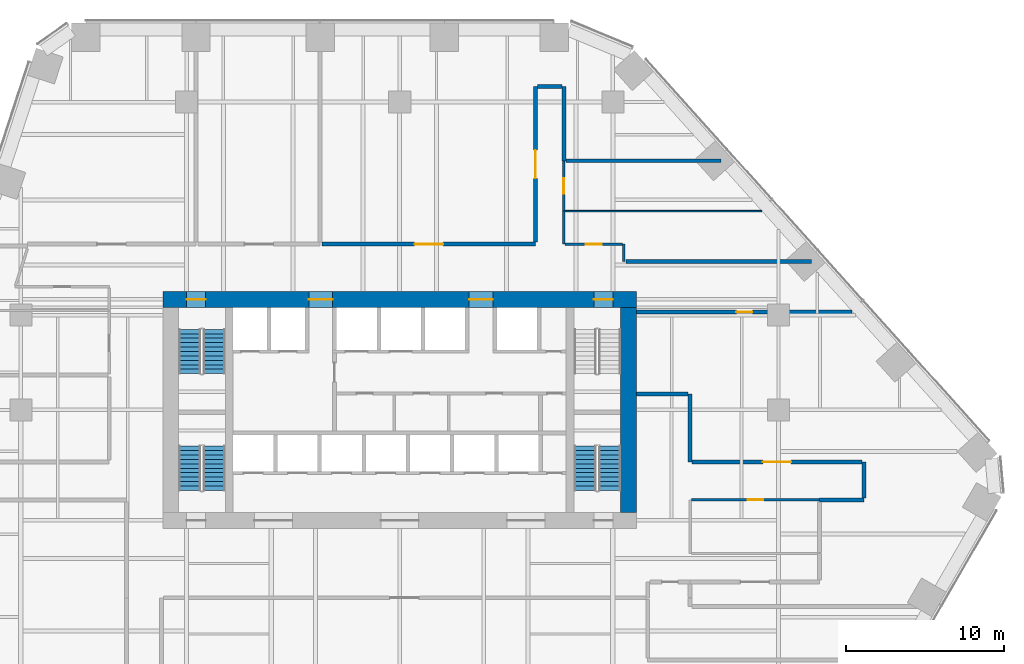
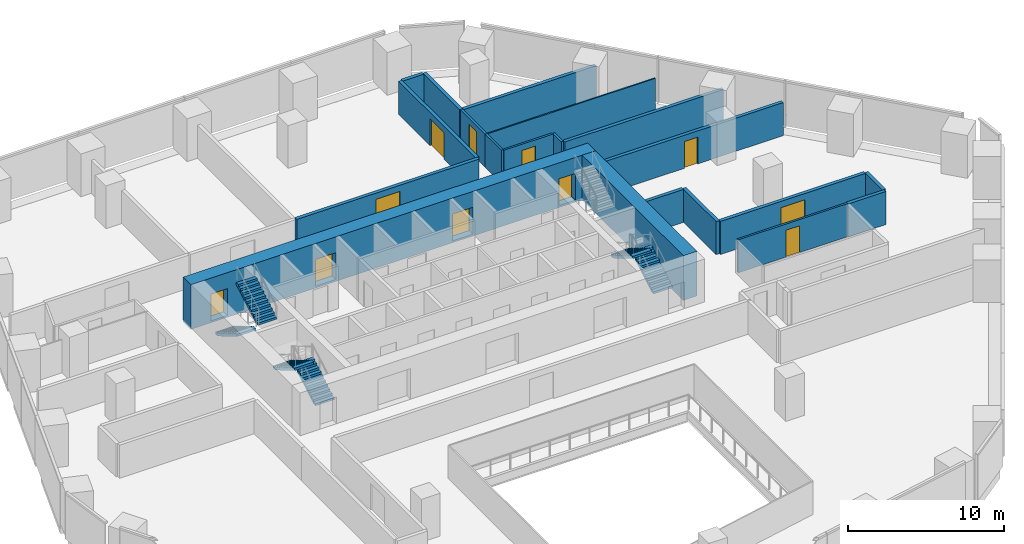
# One storey, part 16 of 20: 20 walls, 11 doors, 6 stair flights, 11 openings, 3 elements without a shape of their own.
"""IFC4 building model written with IfcOpenShell, lengths in metres."""

from ifc_helpers import new_model, si_unit, direction, frame, frame_2d, origin, place, context, subcontext, project, spatial, polyline, rectangle, outline, extrude, material, layer, layer_set, type_object, element, fill, aggregate, save


model = new_model("IFC4")

# Units and contexts
model_context = context("Model", 3, precision=1e-05, world=origin(), true_north=direction((0.0, 1.0)))
body_context = subcontext(model_context, "Body", "Model", "MODEL_VIEW")
ifc_project = project(units=[si_unit("LENGTHUNIT", "METRE"), si_unit("AREAUNIT", "SQUARE_METRE"), si_unit("VOLUMEUNIT", "CUBIC_METRE"), si_unit("PLANEANGLEUNIT", "RADIAN"), si_unit("MASSUNIT", "GRAM", prefix="KILO")], contexts=[model_context])

# Site, building, storey
site_placement = place(None, origin())
site = spatial("IfcSite", under=ifc_project, at=site_placement, CompositionType="ELEMENT")
building_placement = place(site_placement, origin())
building = spatial("IfcBuilding", under=site, at=building_placement, Name="Isthmus Gate Tower", CompositionType="ELEMENT")
storey_placement = place(building_placement, frame((0.0, 0.0, 72.5)))
storey = spatial("IfcBuildingStorey", under=building, at=storey_placement, Name="L16", CompositionType="ELEMENT", Elevation=72.5)

# Walls
ifc_material_1 = material(Name="Double-leaf acoustic stud wall, fire-rated", Category="gypsum")
ifc_layer_1 = layer(ifc_material_1, 0.25)
ifc_layer_set_1 = layer_set([ifc_layer_1], Name="ACOUSTIC WALL 250 60 MIN")
wall_type_1 = type_object("IfcWallType", Name="ACOUSTIC WALL 250 60 MIN", PredefinedType="PARTITIONING", material=ifc_layer_set_1)
wall_1_placement = place(storey_placement, frame((10.39990234375, 28.0, 0.0), z_axis=(0.0, 0.0, 1.0), x_axis=(0.0, -1.0, 0.0)))
element("IfcWall", 1, at=wall_1_placement, inside=storey, type_object=wall_type_1, Name="L16 Acoustic Wall 250 60 Min", PredefinedType="PARTITIONING", context=body_context, shape_type="SweptSolid", body=[
    extrude(rectangle(XDim=4.717041015625, YDim=0.25, at=frame_2d((2.3583984375, 0.0))), origin(), (0.0, 0.0, 1.0), 2.59130859375),
])
wall_2_placement = place(storey_placement, frame((18.39990234375, 8.5, 0.0), z_axis=(0.0, 0.0, 1.0), x_axis=(0.0, -1.0, 0.0)))
element("IfcWall", 2, at=wall_2_placement, inside=storey, type_object=wall_type_1, Name="L16 Acoustic Wall 250 60 Min", PredefinedType="PARTITIONING", context=body_context, shape_type="SweptSolid", body=[
    extrude(rectangle(XDim=4.300048828125, YDim=0.25, at=frame_2d((2.14990234375, 0.0))), origin(), (0.0, 0.0, 1.0), 2.59130859375),
])
wall_3_placement = place(storey_placement, frame((29.39990234375, 1.800048828125, 0.0), z_axis=(0.0, 0.0, 1.0), x_axis=(-1.0, 0.0, 0.0)))
element("IfcWall", 3, at=wall_3_placement, inside=storey, type_object=wall_type_1, Name="L16 Acoustic Wall 250 60 Min", PredefinedType="PARTITIONING", context=body_context, shape_type="SweptSolid", body=[
    extrude(rectangle(XDim=2.807861328125, YDim=0.25, at=frame_2d((1.40380859375, 0.0))), origin(), (0.0, 0.0, 1.0), 2.59130859375),
])
wall_4_placement = place(storey_placement, frame((29.39990234375, 4.199951171875, 0.0), z_axis=(0.0, 0.0, 1.0), x_axis=(0.0, -1.0, 0.0)))
element("IfcWall", 4, at=wall_4_placement, inside=storey, type_object=wall_type_1, Name="L16 Acoustic Wall 250 60 Min", PredefinedType="PARTITIONING", context=body_context, shape_type="SweptSolid", body=[
    extrude(rectangle(XDim=2.27490234375, YDim=0.25, at=frame_2d((1.137451171875, 0.0))), origin(), (0.0, 0.0, 1.0), 2.59130859375),
])

# Wall, opening, door
wall_5_placement = place(storey_placement, frame((-4.912109375, 18.0, 0.0), z_axis=(0.0, 0.0, 1.0), x_axis=(1.0, 0.0, 0.0)))
wall_5 = element("IfcWall", 5, at=wall_5_placement, inside=storey, type_object=wall_type_1, Name="L16 Acoustic Wall 250 60 Min", PredefinedType="PARTITIONING", context=body_context, shape_type="SweptSolid", body=[
    extrude(rectangle(XDim=13.51220703125, YDim=0.25, at=frame_2d((6.756103515625, 0.0))), origin(), (0.0, 0.0, 1.0), 2.59130859375),
])
opening_1_placement = place(wall_5_placement, frame((5.85595703125, 0.0, 0.0)))
opening_1 = element("IfcOpeningElement", 6, at=opening_1_placement, cuts=wall_5, Name="Opening DT-T1D-03", PredefinedType="OPENING", context=body_context, shape_type="SweptSolid", body=[
    extrude(rectangle(XDim=1.800048828125, YDim=2.10009765625, at=frame_2d((0.89990234375, 1.050048828125))), frame((0.0, 0.135009765625, 0.0), z_axis=(0.0, -1.0, 0.0), x_axis=(1.0, 0.0, 0.0)), (0.0, 0.0, 1.0), 0.27001953125),
])
ifc_material_2 = material(Name="Solid core timber door leaf, fire-rated", Category="wood")
door_type_1 = type_object("IfcDoorType", Name="FIRE DOOR ACOUSTIC ROOM 1800 X 2100 60 MIN", OperationType="DOUBLE_DOOR_DOUBLE_SWING", PredefinedType="DOOR", material=ifc_material_2)
door_1_placement = place(opening_1_placement, origin())
door_1 = element("IfcDoor", 7, at=door_1_placement, inside=storey, type_object=door_type_1, Name="L16 room door", OperationType="DOUBLE_DOOR_DOUBLE_SWING", OverallHeight=2.10009765625, OverallWidth=1.800048828125, PredefinedType="DOOR", context=body_context, shape_type="SweptSolid", body=[
    extrude(rectangle(XDim=1.800048828125, YDim=2.10009765625, at=frame_2d((0.89990234375, 1.050048828125))), frame((0.0, 0.02490234375, 0.0), z_axis=(0.0, -1.0, 0.0), x_axis=(1.0, 0.0, 0.0)), (0.0, 0.0, 1.0), 0.050048828125),
])
fill(opening_1, door_1)

wall_6_placement = place(storey_placement, frame((8.60009765625, 18.125, 0.0), z_axis=(0.0, 0.0, 1.0), x_axis=(0.0, 1.0, 0.0)))
wall_6 = element("IfcWall", 8, at=wall_6_placement, inside=storey, type_object=wall_type_1, Name="L16 Acoustic Wall 250 60 Min", PredefinedType="PARTITIONING", context=body_context, shape_type="SweptSolid", body=[
    extrude(rectangle(XDim=9.875, YDim=0.25, at=frame_2d((4.9375, 0.0))), origin(), (0.0, 0.0, 1.0), 2.59130859375),
])
opening_2_placement = place(wall_6_placement, frame((4.03759765625, 0.0, 0.0)))
opening_2 = element("IfcOpeningElement", 9, at=opening_2_placement, cuts=wall_6, Name="Opening DT-T1D-04", PredefinedType="OPENING", context=body_context, shape_type="SweptSolid", body=[
    extrude(rectangle(XDim=1.800048828125, YDim=2.10009765625, at=frame_2d((0.89990234375, 1.050048828125))), frame((0.0, 0.135009765625, 0.0), z_axis=(0.0, -1.0, 0.0), x_axis=(1.0, 0.0, 0.0)), (0.0, 0.0, 1.0), 0.27001953125),
])
door_2_placement = place(opening_2_placement, origin())
door_2 = element("IfcDoor", 10, at=door_2_placement, inside=storey, type_object=door_type_1, Name="L16 room door", OperationType="DOUBLE_DOOR_DOUBLE_SWING", OverallHeight=2.10009765625, OverallWidth=1.800048828125, PredefinedType="DOOR", context=body_context, shape_type="SweptSolid", body=[
    extrude(rectangle(XDim=1.800048828125, YDim=2.10009765625, at=frame_2d((0.89990234375, 1.050048828125))), frame((0.0, 0.02490234375, 0.0), z_axis=(0.0, -1.0, 0.0), x_axis=(1.0, 0.0, 0.0)), (0.0, 0.0, 1.0), 0.050048828125),
])
fill(opening_2, door_2)

# Walls
wall_7_placement = place(storey_placement, frame((8.72509765625, 28.0, 0.0), z_axis=(0.0, 0.0, 1.0), x_axis=(1.0, 0.0, 0.0)))
element("IfcWall", 11, at=wall_7_placement, inside=storey, type_object=wall_type_1, Name="L16 Acoustic Wall 250 60 Min", PredefinedType="PARTITIONING", context=body_context, shape_type="SweptSolid", body=[
    extrude(rectangle(XDim=1.5498046875, YDim=0.25, at=frame_2d((0.77490234375, 0.0))), origin(), (0.0, 0.0, 1.0), 2.59130859375),
])
wall_8_placement = place(storey_placement, frame((10.52490234375, 23.282958984375, 0.0), z_axis=(0.0, 0.0, 1.0), x_axis=(1.0, 0.0, 0.0)))
element("IfcWall", 12, at=wall_8_placement, inside=storey, type_object=wall_type_1, Name="L16 Acoustic Wall 250 60 Min", PredefinedType="PARTITIONING", context=body_context, shape_type="SweptSolid", body=[
    extrude(rectangle(XDim=9.822021484375, YDim=0.25, at=frame_2d((4.9111328125, 0.0))), origin(), (0.0, 0.0, 1.0), 2.59130859375),
])
wall_9_placement = place(storey_placement, frame((14.324951171875, 16.89990234375, 0.0), z_axis=(0.0, 0.0, 1.0), x_axis=(1.0, 0.0, 0.0)))
element("IfcWall", 13, at=wall_9_placement, inside=storey, type_object=wall_type_1, Name="L16 Acoustic Wall 250 60 Min", PredefinedType="PARTITIONING", context=body_context, shape_type="SweptSolid", body=[
    extrude(rectangle(XDim=11.77001953125, YDim=0.25, at=frame_2d((5.885009765625, 0.0))), origin(), (0.0, 0.0, 1.0), 2.59130859375),
])

# Wall, opening, door
wall_10_placement = place(storey_placement, frame((15.0, 13.708984375, 0.0), z_axis=(0.0, 0.0, 1.0), x_axis=(1.0, 0.0, 0.0)))
wall_10 = element("IfcWall", 14, at=wall_10_placement, inside=storey, type_object=wall_type_1, Name="L16 Acoustic Wall 250 60 Min", PredefinedType="PARTITIONING", context=body_context, shape_type="SweptSolid", body=[
    extrude(rectangle(XDim=13.66796875, YDim=0.25, at=frame_2d((6.833984375, 0.0))), origin(), (0.0, 0.0, 1.0), 2.59130859375),
])
opening_3_placement = place(wall_10_placement, frame((6.333984375, 0.0, 0.0)))
opening_3 = element("IfcOpeningElement", 15, at=opening_3_placement, cuts=wall_10, Name="Opening DT-T1D-27", PredefinedType="OPENING", context=body_context, shape_type="SweptSolid", body=[
    extrude(rectangle(XDim=1.0, YDim=2.10009765625, at=frame_2d((0.5, 1.050048828125))), frame((0.0, 0.135009765625, 0.0), z_axis=(0.0, -1.0, 0.0), x_axis=(1.0, 0.0, 0.0)), (0.0, 0.0, 1.0), 0.27001953125),
])
ifc_material_3 = material(Name="Solid core timber door leaf, fire-rated", Category="wood")
door_type_2 = type_object("IfcDoorType", Name="FIRE DOOR ACOUSTIC ROOM 1000 X 2100 60 MIN", OperationType="SINGLE_SWING_LEFT", PredefinedType="DOOR", material=ifc_material_3)
door_3_placement = place(opening_3_placement, origin())
door_3 = element("IfcDoor", 16, at=door_3_placement, inside=storey, type_object=door_type_2, Name="L16 room door", OperationType="SINGLE_SWING_LEFT", OverallHeight=2.10009765625, OverallWidth=1.0, PredefinedType="DOOR", context=body_context, shape_type="SweptSolid", body=[
    extrude(rectangle(XDim=1.0, YDim=2.10009765625, at=frame_2d((0.5, 1.050048828125))), frame((0.0, 0.02490234375, 0.0), z_axis=(0.0, -1.0, 0.0), x_axis=(1.0, 0.0, 0.0)), (0.0, 0.0, 1.0), 0.050048828125),
])
fill(opening_3, door_3)

# Wall
wall_11_placement = place(storey_placement, frame((15.0, 8.5, 0.0), z_axis=(0.0, 0.0, 1.0), x_axis=(1.0, 0.0, 0.0)))
element("IfcWall", 17, at=wall_11_placement, inside=storey, type_object=wall_type_1, Name="L16 Acoustic Wall 250 60 Min", PredefinedType="PARTITIONING", context=body_context, shape_type="SweptSolid", body=[
    extrude(rectangle(XDim=3.27490234375, YDim=0.25, at=frame_2d((1.637451171875, 0.0))), origin(), (0.0, 0.0, 1.0), 2.59130859375),
])

# Wall, opening, door
wall_12_placement = place(storey_placement, frame((18.52490234375, 4.199951171875, 0.0), z_axis=(0.0, 0.0, 1.0), x_axis=(1.0, 0.0, 0.0)))
wall_12 = element("IfcWall", 18, at=wall_12_placement, inside=storey, type_object=wall_type_1, Name="L16 Acoustic Wall 250 60 Min", PredefinedType="PARTITIONING", context=body_context, shape_type="SweptSolid", body=[
    extrude(rectangle(XDim=10.75, YDim=0.25, at=frame_2d((5.375, 0.0))), origin(), (0.0, 0.0, 1.0), 2.59130859375),
])
opening_4_placement = place(wall_12_placement, frame((4.47509765625, 0.0, 0.0)))
opening_4 = element("IfcOpeningElement", 19, at=opening_4_placement, cuts=wall_12, Name="Opening DT-T1D-10", PredefinedType="OPENING", context=body_context, shape_type="SweptSolid", body=[
    extrude(rectangle(XDim=1.800048828125, YDim=2.10009765625, at=frame_2d((0.89990234375, 1.050048828125))), frame((0.0, 0.135009765625, 0.0), z_axis=(0.0, -1.0, 0.0), x_axis=(1.0, 0.0, 0.0)), (0.0, 0.0, 1.0), 0.27001953125),
])
door_4_placement = place(opening_4_placement, origin())
door_4 = element("IfcDoor", 20, at=door_4_placement, inside=storey, type_object=door_type_1, Name="L16 room door", OperationType="DOUBLE_DOOR_DOUBLE_SWING", OverallHeight=2.10009765625, OverallWidth=1.800048828125, PredefinedType="DOOR", context=body_context, shape_type="SweptSolid", body=[
    extrude(rectangle(XDim=1.800048828125, YDim=2.10009765625, at=frame_2d((0.89990234375, 1.050048828125))), frame((0.0, 0.02490234375, 0.0), z_axis=(0.0, -1.0, 0.0), x_axis=(1.0, 0.0, 0.0)), (0.0, 0.0, 1.0), 0.050048828125),
])
fill(opening_4, door_4)

ifc_material_4 = material(Name="Gypsum board on steel studs, fire-rated", Category="steel")
ifc_layer_2 = layer(ifc_material_4, 0.14990234375)
ifc_layer_set_2 = layer_set([ifc_layer_2], Name="CORRIDOR WALL 150 60 MIN")
wall_type_2 = type_object("IfcWallType", Name="CORRIDOR WALL 150 60 MIN", PredefinedType="PARTITIONING", material=ifc_layer_set_2)
wall_13_placement = place(storey_placement, frame((10.39990234375, 23.282958984375, 0.0), z_axis=(0.0, 0.0, 1.0), x_axis=(0.0, -1.0, 0.0)))
wall_13 = element("IfcWall", 21, at=wall_13_placement, inside=storey, type_object=wall_type_2, Name="L16 Corridor Wall 150 60 Min", PredefinedType="PARTITIONING", context=body_context, shape_type="SweptSolid", body=[
    extrude(rectangle(XDim=3.19091796875, YDim=0.14990234375, at=frame_2d((1.595458984375, 0.0))), origin(), (0.0, 0.0, 1.0), 2.59130859375),
])
opening_5_placement = place(wall_13_placement, frame((1.095458984375, 0.0, 0.0)))
opening_5 = element("IfcOpeningElement", 22, at=opening_5_placement, cuts=wall_13, Name="Opening DT-T1D-05", PredefinedType="OPENING", context=body_context, shape_type="SweptSolid", body=[
    extrude(rectangle(XDim=1.0, YDim=2.10009765625, at=frame_2d((0.5, 1.050048828125))), frame((0.0, 0.0849609375, 0.0), z_axis=(0.0, -1.0, 0.0), x_axis=(1.0, 0.0, 0.0)), (0.0, 0.0, 1.0), 0.169921875),
])
ifc_material_5 = material(Name="Solid core timber door leaf, fire-rated", Category="wood")
door_type_3 = type_object("IfcDoorType", Name="FIRE DOOR ROOM 1000 X 2100 60 MIN", OperationType="SINGLE_SWING_LEFT", PredefinedType="DOOR", material=ifc_material_5)
door_5_placement = place(opening_5_placement, origin())
door_5 = element("IfcDoor", 23, at=door_5_placement, inside=storey, type_object=door_type_3, Name="L16 room door", OperationType="SINGLE_SWING_RIGHT", OverallHeight=2.10009765625, OverallWidth=1.0, PredefinedType="DOOR", context=body_context, shape_type="SweptSolid", body=[
    extrude(rectangle(XDim=1.0, YDim=2.10009765625, at=frame_2d((0.5, 1.050048828125))), frame((0.0, 0.02490234375, 0.0), z_axis=(0.0, -1.0, 0.0), x_axis=(1.0, 0.0, 0.0)), (0.0, 0.0, 1.0), 0.050048828125),
])
fill(opening_5, door_5)

# Walls
wall_14_placement = place(storey_placement, frame((10.39990234375, 20.092041015625, 0.0), z_axis=(0.0, 0.0, 1.0), x_axis=(0.0, -1.0, 0.0)))
element("IfcWall", 24, at=wall_14_placement, inside=storey, type_object=wall_type_2, Name="L16 Corridor Wall 150 60 Min", PredefinedType="PARTITIONING", context=body_context, shape_type="SweptSolid", body=[
    extrude(rectangle(XDim=2.092041015625, YDim=0.14990234375, at=frame_2d((1.0458984375, 0.0))), origin(), (0.0, 0.0, 1.0), 2.59130859375),
])
wall_15_placement = place(storey_placement, frame((14.199951171875, 18.0, 0.0), z_axis=(0.0, 0.0, 1.0), x_axis=(0.0, -1.0, 0.0)))
element("IfcWall", 25, at=wall_15_placement, inside=storey, type_object=wall_type_2, Name="L16 Corridor Wall 150 60 Min", PredefinedType="PARTITIONING", context=body_context, shape_type="SweptSolid", body=[
    extrude(rectangle(XDim=1.10009765625, YDim=0.14990234375, at=frame_2d((0.550048828125, 0.0))), origin(), (0.0, 0.0, 1.0), 2.59130859375),
])

# Wall, opening, door
wall_16_placement = place(storey_placement, frame((26.592041015625, 1.800048828125, 0.0), z_axis=(0.0, 0.0, 1.0), x_axis=(-1.0, 0.0, 0.0)))
wall_16 = element("IfcWall", 26, at=wall_16_placement, inside=storey, type_object=wall_type_2, Name="L16 Corridor Wall 150 60 Min", PredefinedType="PARTITIONING", context=body_context, shape_type="SweptSolid", body=[
    extrude(rectangle(XDim=8.116943359375, YDim=0.14990234375, at=frame_2d((4.05859375, 0.0))), origin(), (0.0, 0.0, 1.0), 2.59130859375),
])
opening_6_placement = place(wall_16_placement, frame((3.55859375, 0.0, 0.0)))
opening_6 = element("IfcOpeningElement", 27, at=opening_6_placement, cuts=wall_16, Name="Opening DT-T1D-12", PredefinedType="OPENING", context=body_context, shape_type="SweptSolid", body=[
    extrude(rectangle(XDim=1.0, YDim=2.10009765625, at=frame_2d((0.5, 1.050048828125))), frame((0.0, 0.0849609375, 0.0), z_axis=(0.0, -1.0, 0.0), x_axis=(1.0, 0.0, 0.0)), (0.0, 0.0, 1.0), 0.169921875),
])
door_6_placement = place(opening_6_placement, origin())
door_6 = element("IfcDoor", 28, at=door_6_placement, inside=storey, type_object=door_type_3, Name="L16 room door", OperationType="SINGLE_SWING_RIGHT", OverallHeight=2.10009765625, OverallWidth=1.0, PredefinedType="DOOR", context=body_context, shape_type="SweptSolid", body=[
    extrude(rectangle(XDim=1.0, YDim=2.10009765625, at=frame_2d((0.5, 1.050048828125))), frame((0.0, 0.02490234375, 0.0), z_axis=(0.0, -1.0, 0.0), x_axis=(1.0, 0.0, 0.0)), (0.0, 0.0, 1.0), 0.050048828125),
])
fill(opening_6, door_6)

wall_17_placement = place(storey_placement, frame((10.47509765625, 18.0, 0.0), z_axis=(0.0, 0.0, 1.0), x_axis=(1.0, 0.0, 0.0)))
wall_17 = element("IfcWall", 29, at=wall_17_placement, inside=storey, type_object=wall_type_2, Name="L16 Corridor Wall 150 60 Min", PredefinedType="PARTITIONING", context=body_context, shape_type="SweptSolid", body=[
    extrude(rectangle(XDim=3.64990234375, YDim=0.14990234375, at=frame_2d((1.824951171875, 0.0))), origin(), (0.0, 0.0, 1.0), 2.59130859375),
])
opening_7_placement = place(wall_17_placement, frame((1.324951171875, 0.0, 0.0)))
opening_7 = element("IfcOpeningElement", 30, at=opening_7_placement, cuts=wall_17, Name="Opening DT-T1D-07", PredefinedType="OPENING", context=body_context, shape_type="SweptSolid", body=[
    extrude(rectangle(XDim=1.0, YDim=2.10009765625, at=frame_2d((0.5, 1.050048828125))), frame((0.0, 0.0849609375, 0.0), z_axis=(0.0, -1.0, 0.0), x_axis=(1.0, 0.0, 0.0)), (0.0, 0.0, 1.0), 0.169921875),
])
door_7_placement = place(opening_7_placement, origin())
door_7 = element("IfcDoor", 31, at=door_7_placement, inside=storey, type_object=door_type_3, Name="L16 room door", OperationType="SINGLE_SWING_RIGHT", OverallHeight=2.10009765625, OverallWidth=1.0, PredefinedType="DOOR", context=body_context, shape_type="SweptSolid", body=[
    extrude(rectangle(XDim=1.0, YDim=2.10009765625, at=frame_2d((0.5, 1.050048828125))), frame((0.0, 0.02490234375, 0.0), z_axis=(0.0, -1.0, 0.0), x_axis=(1.0, 0.0, 0.0)), (0.0, 0.0, 1.0), 0.050048828125),
])
fill(opening_7, door_7)

# Wall, openings, doors
ifc_material_6 = material(Name="Concrete f'c 70 MPa", Category="concrete")
ifc_layer_3 = layer(ifc_material_6, 1.0)
ifc_layer_set_3 = layer_set([ifc_layer_3], Name="RC CORE WALL 1000 F'C 70")
wall_type_3 = type_object("IfcWallType", Name="RC CORE WALL 1000 F'C 70", PredefinedType="SOLIDWALL", material=ifc_layer_set_3)
wall_18_placement = place(storey_placement, frame((-15.0, 14.5, -0.14990234375), z_axis=(0.0, 0.0, 1.0), x_axis=(1.0, 0.0, 0.0)))
wall_18 = element("IfcWall", 32, at=wall_18_placement, inside=storey, type_object=wall_type_3, Name="str-corewall-L16-N", PredefinedType="SOLIDWALL", context=body_context, shape_type="SweptSolid", body=[
    extrude(rectangle(XDim=30.0, YDim=1.0, at=frame_2d((15.0, 0.0))), origin(), (0.0, 0.0, 1.0), 3.5),
])
opening_8_placement = place(wall_18_placement, frame((9.25, 0.0, 0.14990234375)))
opening_8 = element("IfcOpeningElement", 33, at=opening_8_placement, cuts=wall_18, Name="Opening DC-A05-11", PredefinedType="OPENING", context=body_context, shape_type="SweptSolid", body=[
    extrude(rectangle(XDim=1.5, YDim=2.10009765625, at=frame_2d((0.75, 1.050048828125))), frame((0.0, 0.510009765625, 0.0), z_axis=(0.0, -1.0, 0.0), x_axis=(1.0, 0.0, 0.0)), (0.0, 0.0, 1.0), 1.02001953125),
])
opening_9_placement = place(wall_18_placement, frame((19.39990234375, 0.0, 0.14990234375)))
opening_9 = element("IfcOpeningElement", 34, at=opening_9_placement, cuts=wall_18, Name="Opening DC-A05-12", PredefinedType="OPENING", context=body_context, shape_type="SweptSolid", body=[
    extrude(rectangle(XDim=1.5, YDim=2.10009765625, at=frame_2d((0.75, 1.050048828125))), frame((0.0, 0.510009765625, 0.0), z_axis=(0.0, -1.0, 0.0), x_axis=(1.0, 0.0, 0.0)), (0.0, 0.0, 1.0), 1.02001953125),
])
opening_10_placement = place(wall_18_placement, frame((1.5, 0.0, 0.14990234375)))
opening_10 = element("IfcOpeningElement", 35, at=opening_10_placement, cuts=wall_18, Name="Opening DC-A05-13", PredefinedType="OPENING", context=body_context, shape_type="SweptSolid", body=[
    extrude(rectangle(XDim=1.199951171875, YDim=2.10009765625, at=frame_2d((0.60009765625, 1.050048828125))), frame((0.0, 0.510009765625, 0.0), z_axis=(0.0, -1.0, 0.0), x_axis=(1.0, 0.0, 0.0)), (0.0, 0.0, 1.0), 1.02001953125),
])
opening_11_placement = place(wall_18_placement, frame((27.300048828125, 0.0, 0.14990234375)))
opening_11 = element("IfcOpeningElement", 36, at=opening_11_placement, cuts=wall_18, Name="Opening DC-A05-14", PredefinedType="OPENING", context=body_context, shape_type="SweptSolid", body=[
    extrude(rectangle(XDim=1.199951171875, YDim=2.10009765625, at=frame_2d((0.60009765625, 1.050048828125))), frame((0.0, 0.510009765625, 0.0), z_axis=(0.0, -1.0, 0.0), x_axis=(1.0, 0.0, 0.0)), (0.0, 0.0, 1.0), 1.02001953125),
])
ifc_material_7 = material(Name="Steel door leaf, fire-rated", Category="steel")
door_type_4 = type_object("IfcDoorType", Name="LOBBY FIRE DOOR 1500 X 2100 60 MIN", OperationType="DOUBLE_DOOR_SINGLE_SWING", PredefinedType="DOOR", material=ifc_material_7)
door_8_placement = place(opening_9_placement, origin())
door_8 = element("IfcDoor", 37, at=door_8_placement, inside=storey, type_object=door_type_4, Name="Lobby Door PN-E", OperationType="DOUBLE_DOOR_SINGLE_SWING", OverallHeight=2.10009765625, OverallWidth=1.5, PredefinedType="DOOR", context=body_context, shape_type="SweptSolid", body=[
    extrude(rectangle(XDim=1.5, YDim=2.10009765625, at=frame_2d((0.75, 1.050048828125))), frame((0.0, 0.02490234375, 0.0), z_axis=(0.0, -1.0, 0.0), x_axis=(1.0, 0.0, 0.0)), (0.0, 0.0, 1.0), 0.050048828125),
])
fill(opening_9, door_8)
ifc_material_8 = material(Name="Steel door leaf, fire-rated", Category="steel")
door_type_5 = type_object("IfcDoorType", Name="LOBBY FIRE DOOR 1500 X 2100 90 MIN", OperationType="DOUBLE_DOOR_SINGLE_SWING", PredefinedType="DOOR", material=ifc_material_8)
door_9_placement = place(opening_8_placement, origin())
door_9 = element("IfcDoor", 38, at=door_9_placement, inside=storey, type_object=door_type_5, Name="Lobby Door PN-W", OperationType="DOUBLE_DOOR_SINGLE_SWING", OverallHeight=2.10009765625, OverallWidth=1.5, PredefinedType="DOOR", context=body_context, shape_type="SweptSolid", body=[
    extrude(rectangle(XDim=1.5, YDim=2.10009765625, at=frame_2d((0.75, 1.050048828125))), frame((0.0, 0.02490234375, 0.0), z_axis=(0.0, -1.0, 0.0), x_axis=(1.0, 0.0, 0.0)), (0.0, 0.0, 1.0), 0.050048828125),
])
fill(opening_8, door_9)
ifc_material_9 = material(Name="Steel door leaf, fire-rated", Category="steel")
door_type_6 = type_object("IfcDoorType", Name="STAIR FIRE DOOR 1200 X 2100 90 MIN", OperationType="SINGLE_SWING_LEFT", PredefinedType="DOOR", material=ifc_material_9)
door_10_placement = place(opening_10_placement, origin())
door_10 = element("IfcDoor", 39, at=door_10_placement, inside=storey, type_object=door_type_6, Name="Exit Stair 1 Door", OperationType="SINGLE_SWING_RIGHT", OverallHeight=2.10009765625, OverallWidth=1.199951171875, PredefinedType="DOOR", context=body_context, shape_type="SweptSolid", body=[
    extrude(rectangle(XDim=1.199951171875, YDim=2.10009765625, at=frame_2d((0.60009765625, 1.050048828125))), frame((0.0, 0.02490234375, 0.0), z_axis=(0.0, -1.0, 0.0), x_axis=(1.0, 0.0, 0.0)), (0.0, 0.0, 1.0), 0.050048828125),
])
fill(opening_10, door_10)
door_11_placement = place(opening_11_placement, origin())
door_11 = element("IfcDoor", 40, at=door_11_placement, inside=storey, type_object=door_type_6, Name="Exit Stair 2 Door", OperationType="SINGLE_SWING_LEFT", OverallHeight=2.10009765625, OverallWidth=1.199951171875, PredefinedType="DOOR", context=body_context, shape_type="SweptSolid", body=[
    extrude(rectangle(XDim=1.199951171875, YDim=2.10009765625, at=frame_2d((0.60009765625, 1.050048828125))), frame((0.0, 0.02490234375, 0.0), z_axis=(0.0, -1.0, 0.0), x_axis=(1.0, 0.0, 0.0)), (0.0, 0.0, 1.0), 0.050048828125),
])
fill(opening_11, door_11)

# Walls
wall_19_placement = place(storey_placement, frame((14.5, 1.0, -0.14990234375), z_axis=(0.0, 0.0, 1.0), x_axis=(0.0, 1.0, 0.0)))
element("IfcWall", 41, at=wall_19_placement, inside=storey, type_object=wall_type_3, Name="str-corewall-L16-E", PredefinedType="SOLIDWALL", context=body_context, shape_type="SweptSolid", body=[
    extrude(rectangle(XDim=13.0, YDim=1.0, at=frame_2d((6.5, 0.0))), origin(), (0.0, 0.0, 1.0), 3.5),
])
ifc_material_10 = material(Name="Gypsum board on steel studs, fire-rated", Category="steel")
ifc_layer_4 = layer(ifc_material_10, 0.10009765625)
ifc_layer_set_4 = layer_set([ifc_layer_4], Name="ROOM PARTITION 100 30 MIN")
wall_type_4 = type_object("IfcWallType", Name="ROOM PARTITION 100 30 MIN", PredefinedType="PARTITIONING", material=ifc_layer_set_4)
wall_20_placement = place(storey_placement, frame((10.47509765625, 20.092041015625, 0.0), z_axis=(0.0, 0.0, 1.0), x_axis=(1.0, 0.0, 0.0)))
element("IfcWall", 42, at=wall_20_placement, inside=storey, type_object=wall_type_4, Name="L16 Room Partition 100 30 Min", PredefinedType="PARTITIONING", context=body_context, shape_type="SweptSolid", body=[
    extrude(rectangle(XDim=12.44580078125, YDim=0.10009765625, at=frame_2d((6.222900390625, 0.0))), origin(), (0.0, 0.0, 1.0), 2.59130859375),
])

# Stair, stair flights
ifc_material_11 = material(Name="Concrete f'c 40 MPa", Category="concrete")
stair_type = type_object("IfcStairType", Name="CORE STAIR 22 RISERS", PredefinedType="HALF_TURN_STAIR", material=ifc_material_11)
stair_1_placement = place(storey_placement, origin())
stair_1 = element("IfcStair", 43, at=stair_1_placement, inside=storey, type_object=stair_type, Name="L16 Exit Stair 1", PredefinedType="HALF_TURN_STAIR")
ifc_material_12 = material(Name="Concrete f'c 40 MPa", Category="concrete")
stair_flight_type = type_object("IfcStairFlightType", Name="STAIR FLIGHT RC 1400", PredefinedType="STRAIGHT", material=ifc_material_12)
stair_flight_1_placement = place(storey_placement, frame((-13.300048828125, 12.60009765625, 0.0), z_axis=(0.0, 0.0, 1.0), x_axis=(0.0, -1.0, 0.0)))
stair_flight_1 = element("IfcStairFlight", 44, at=stair_flight_1_placement, type_object=stair_flight_type, Name="ST1 flight 1", NumberOfRisers=11, NumberOfTreads=10, PredefinedType="STRAIGHT", RiserHeight=0.165909091, TreadLength=0.28, context=body_context, shape_type="SweptSolid", body=[
    extrude(outline(polyline([(0.0, 0.0), (0.0, 0.166015625), (0.280029296875, 0.166015625), (0.280029296875, 0.331787109375), (0.56005859375, 0.331787109375), (0.56005859375, 0.497802734375), (0.840087890625, 0.497802734375), (0.840087890625, 0.66357421875), (1.1201171875, 0.66357421875), (1.1201171875, 0.82958984375), (1.39990234375, 0.82958984375), (1.39990234375, 0.995361328125), (1.679931640625, 0.995361328125), (1.679931640625, 1.161376953125), (1.9599609375, 1.161376953125), (1.9599609375, 1.327392578125), (2.239990234375, 1.327392578125), (2.239990234375, 1.4931640625), (2.52001953125, 1.4931640625), (2.52001953125, 1.6591796875), (2.800048828125, 1.6591796875), (2.800048828125, 1.824951171875), (2.800048828125, 1.48486328125), (0.2939453125, 0.0), (0.0, 0.0)])), frame((0.0, 0.699951171875, 0.0), z_axis=(0.0, -1.0, 0.0), x_axis=(1.0, 0.0, 0.0)), (0.0, 0.0, 1.0), 1.39990234375),
])
stair_flight_2_placement = place(storey_placement, frame((-11.75, 9.800048828125, 1.824951171875), z_axis=(0.0, 0.0, 1.0), x_axis=(0.0, 1.0, 0.0)))
stair_flight_2 = element("IfcStairFlight", 45, at=stair_flight_2_placement, type_object=stair_flight_type, Name="ST1 flight 2", NumberOfRisers=11, NumberOfTreads=10, PredefinedType="STRAIGHT", RiserHeight=0.165909091, TreadLength=0.28, context=body_context, shape_type="SweptSolid", body=[
    extrude(outline(polyline([(0.0, 0.0), (0.0, 0.166015625), (0.280029296875, 0.166015625), (0.280029296875, 0.331787109375), (0.56005859375, 0.331787109375), (0.56005859375, 0.497802734375), (0.840087890625, 0.497802734375), (0.840087890625, 0.66357421875), (1.1201171875, 0.66357421875), (1.1201171875, 0.82958984375), (1.39990234375, 0.82958984375), (1.39990234375, 0.995361328125), (1.679931640625, 0.995361328125), (1.679931640625, 1.161376953125), (1.9599609375, 1.161376953125), (1.9599609375, 1.327392578125), (2.239990234375, 1.327392578125), (2.239990234375, 1.4931640625), (2.52001953125, 1.4931640625), (2.52001953125, 1.6591796875), (2.800048828125, 1.6591796875), (2.800048828125, 1.824951171875), (2.800048828125, 1.48486328125), (0.2939453125, 0.0), (0.0, 0.0)])), frame((0.0, 0.699951171875, 0.0), z_axis=(0.0, -1.0, 0.0), x_axis=(1.0, 0.0, 0.0)), (0.0, 0.0, 1.0), 1.39990234375),
])
aggregate(stair_1, [stair_flight_1, stair_flight_2])

stair_2_placement = place(storey_placement, origin())
stair_2 = element("IfcStair", 46, at=stair_2_placement, inside=storey, type_object=stair_type, Name="L16 Exit Stair 7", PredefinedType="HALF_TURN_STAIR")
stair_flight_3_placement = place(storey_placement, frame((-11.75, 2.39990234375, 0.0), z_axis=(0.0, 0.0, 1.0), x_axis=(0.0, 1.0, 0.0)))
stair_flight_3 = element("IfcStairFlight", 47, at=stair_flight_3_placement, type_object=stair_flight_type, Name="ST7 flight 1", NumberOfRisers=11, NumberOfTreads=10, PredefinedType="STRAIGHT", RiserHeight=0.165909091, TreadLength=0.28, context=body_context, shape_type="SweptSolid", body=[
    extrude(outline(polyline([(0.0, 0.0), (0.0, 0.166015625), (0.280029296875, 0.166015625), (0.280029296875, 0.331787109375), (0.56005859375, 0.331787109375), (0.56005859375, 0.497802734375), (0.840087890625, 0.497802734375), (0.840087890625, 0.66357421875), (1.1201171875, 0.66357421875), (1.1201171875, 0.82958984375), (1.39990234375, 0.82958984375), (1.39990234375, 0.995361328125), (1.679931640625, 0.995361328125), (1.679931640625, 1.161376953125), (1.9599609375, 1.161376953125), (1.9599609375, 1.327392578125), (2.239990234375, 1.327392578125), (2.239990234375, 1.4931640625), (2.52001953125, 1.4931640625), (2.52001953125, 1.6591796875), (2.800048828125, 1.6591796875), (2.800048828125, 1.824951171875), (2.800048828125, 1.48486328125), (0.2939453125, 0.0), (0.0, 0.0)])), frame((0.0, 0.699951171875, 0.0), z_axis=(0.0, -1.0, 0.0), x_axis=(1.0, 0.0, 0.0)), (0.0, 0.0, 1.0), 1.39990234375),
])
stair_flight_4_placement = place(storey_placement, frame((-13.300048828125, 5.199951171875, 1.824951171875), z_axis=(0.0, 0.0, 1.0), x_axis=(0.0, -1.0, 0.0)))
stair_flight_4 = element("IfcStairFlight", 48, at=stair_flight_4_placement, type_object=stair_flight_type, Name="ST7 flight 2", NumberOfRisers=11, NumberOfTreads=10, PredefinedType="STRAIGHT", RiserHeight=0.165909091, TreadLength=0.28, context=body_context, shape_type="SweptSolid", body=[
    extrude(outline(polyline([(0.0, 0.0), (0.0, 0.166015625), (0.280029296875, 0.166015625), (0.280029296875, 0.331787109375), (0.56005859375, 0.331787109375), (0.56005859375, 0.497802734375), (0.840087890625, 0.497802734375), (0.840087890625, 0.66357421875), (1.1201171875, 0.66357421875), (1.1201171875, 0.82958984375), (1.39990234375, 0.82958984375), (1.39990234375, 0.995361328125), (1.679931640625, 0.995361328125), (1.679931640625, 1.161376953125), (1.9599609375, 1.161376953125), (1.9599609375, 1.327392578125), (2.239990234375, 1.327392578125), (2.239990234375, 1.4931640625), (2.52001953125, 1.4931640625), (2.52001953125, 1.6591796875), (2.800048828125, 1.6591796875), (2.800048828125, 1.824951171875), (2.800048828125, 1.48486328125), (0.2939453125, 0.0), (0.0, 0.0)])), frame((0.0, 0.699951171875, 0.0), z_axis=(0.0, -1.0, 0.0), x_axis=(1.0, 0.0, 0.0)), (0.0, 0.0, 1.0), 1.39990234375),
])
aggregate(stair_2, [stair_flight_3, stair_flight_4])

stair_3_placement = place(storey_placement, origin())
stair_3 = element("IfcStair", 49, at=stair_3_placement, inside=storey, type_object=stair_type, Name="L16 Exit Stair 8", PredefinedType="HALF_TURN_STAIR")
stair_flight_5_placement = place(storey_placement, frame((13.300048828125, 2.39990234375, 0.0), z_axis=(0.0, 0.0, 1.0), x_axis=(0.0, 1.0, 0.0)))
stair_flight_5 = element("IfcStairFlight", 50, at=stair_flight_5_placement, type_object=stair_flight_type, Name="ST8 flight 1", NumberOfRisers=11, NumberOfTreads=10, PredefinedType="STRAIGHT", RiserHeight=0.165909091, TreadLength=0.28, context=body_context, shape_type="SweptSolid", body=[
    extrude(outline(polyline([(0.0, 0.0), (0.0, 0.166015625), (0.280029296875, 0.166015625), (0.280029296875, 0.331787109375), (0.56005859375, 0.331787109375), (0.56005859375, 0.497802734375), (0.840087890625, 0.497802734375), (0.840087890625, 0.66357421875), (1.1201171875, 0.66357421875), (1.1201171875, 0.82958984375), (1.39990234375, 0.82958984375), (1.39990234375, 0.995361328125), (1.679931640625, 0.995361328125), (1.679931640625, 1.161376953125), (1.9599609375, 1.161376953125), (1.9599609375, 1.327392578125), (2.239990234375, 1.327392578125), (2.239990234375, 1.4931640625), (2.52001953125, 1.4931640625), (2.52001953125, 1.6591796875), (2.800048828125, 1.6591796875), (2.800048828125, 1.824951171875), (2.800048828125, 1.48486328125), (0.2939453125, 0.0), (0.0, 0.0)])), frame((0.0, 0.699951171875, 0.0), z_axis=(0.0, -1.0, 0.0), x_axis=(1.0, 0.0, 0.0)), (0.0, 0.0, 1.0), 1.39990234375),
])
stair_flight_6_placement = place(storey_placement, frame((11.75, 5.199951171875, 1.824951171875), z_axis=(0.0, 0.0, 1.0), x_axis=(0.0, -1.0, 0.0)))
stair_flight_6 = element("IfcStairFlight", 51, at=stair_flight_6_placement, type_object=stair_flight_type, Name="ST8 flight 2", NumberOfRisers=11, NumberOfTreads=10, PredefinedType="STRAIGHT", RiserHeight=0.165909091, TreadLength=0.28, context=body_context, shape_type="SweptSolid", body=[
    extrude(outline(polyline([(0.0, 0.0), (0.0, 0.166015625), (0.280029296875, 0.166015625), (0.280029296875, 0.331787109375), (0.56005859375, 0.331787109375), (0.56005859375, 0.497802734375), (0.840087890625, 0.497802734375), (0.840087890625, 0.66357421875), (1.1201171875, 0.66357421875), (1.1201171875, 0.82958984375), (1.39990234375, 0.82958984375), (1.39990234375, 0.995361328125), (1.679931640625, 0.995361328125), (1.679931640625, 1.161376953125), (1.9599609375, 1.161376953125), (1.9599609375, 1.327392578125), (2.239990234375, 1.327392578125), (2.239990234375, 1.4931640625), (2.52001953125, 1.4931640625), (2.52001953125, 1.6591796875), (2.800048828125, 1.6591796875), (2.800048828125, 1.824951171875), (2.800048828125, 1.48486328125), (0.2939453125, 0.0), (0.0, 0.0)])), frame((0.0, 0.699951171875, 0.0), z_axis=(0.0, -1.0, 0.0), x_axis=(1.0, 0.0, 0.0)), (0.0, 0.0, 1.0), 1.39990234375),
])
aggregate(stair_3, [stair_flight_5, stair_flight_6])

save(model, "model.ifc")
